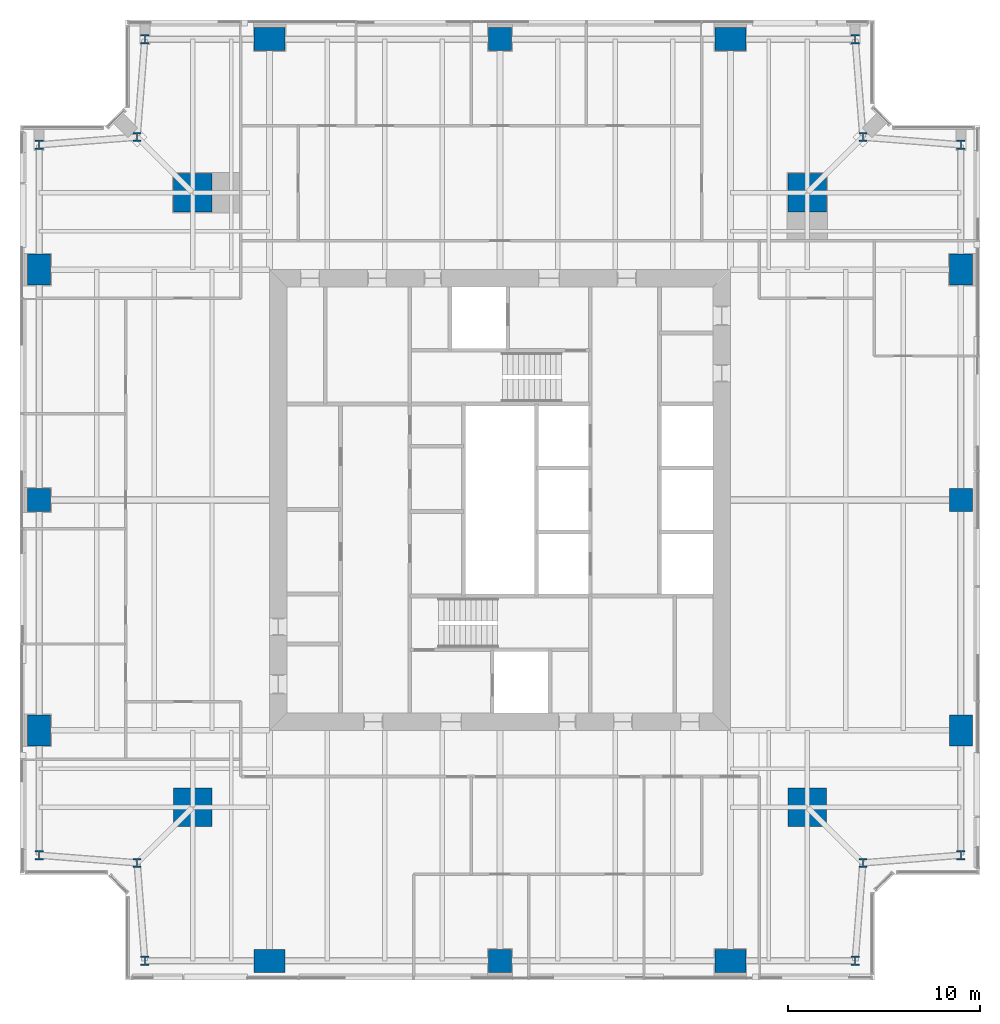
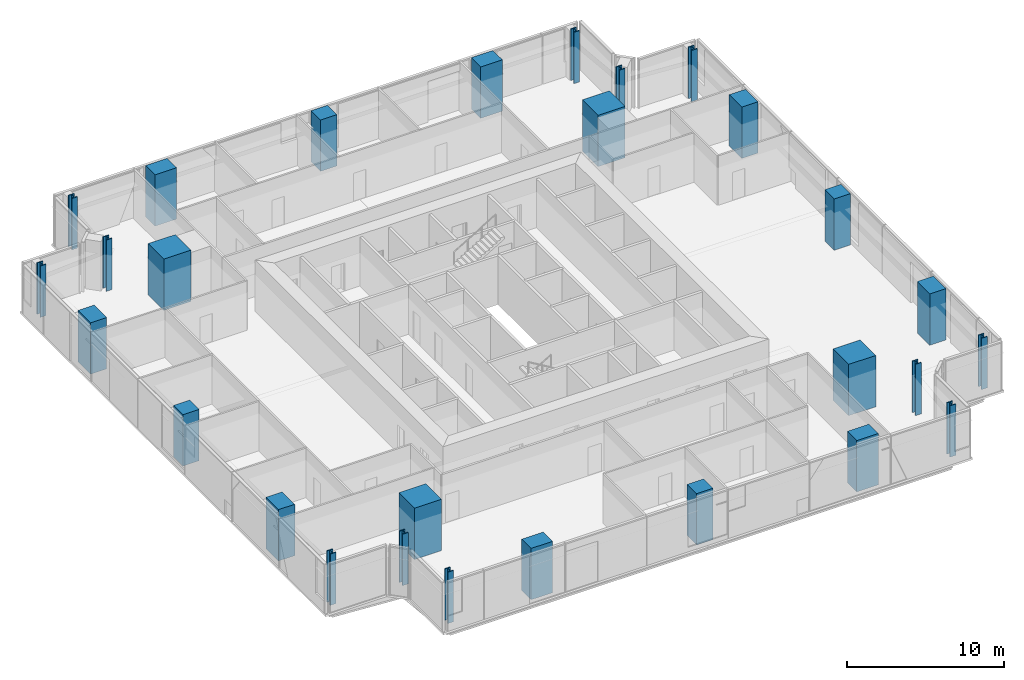
# One storey, part 1 of 14: 28 columns.
"""IFC4 building model written with IfcOpenShell, lengths in metres."""

from ifc_helpers import new_model, si_unit, direction, frame, origin, origin_2d, place, context, subcontext, project, spatial, rectangle, i_section, extrude, material, material_profile, profile_set, type_object, element, save


model = new_model("IFC4")

# Units and contexts
model_context = context("Model", 3, precision=1e-05, world=origin(), true_north=direction((0.0, 1.0)))
body_context = subcontext(model_context, "Body", "Model", "MODEL_VIEW")
ifc_project = project(units=[si_unit("LENGTHUNIT", "METRE"), si_unit("AREAUNIT", "SQUARE_METRE"), si_unit("VOLUMEUNIT", "CUBIC_METRE"), si_unit("PLANEANGLEUNIT", "RADIAN"), si_unit("MASSUNIT", "GRAM", prefix="KILO")], contexts=[model_context])

# Site, building, storey
site_placement = place(None, origin())
site = spatial("IfcSite", under=ifc_project, at=site_placement, CompositionType="ELEMENT")
building_placement = place(site_placement, origin())
building = spatial("IfcBuilding", under=site, at=building_placement, Name="Fenwick Lantern Interchange", CompositionType="ELEMENT")
storey_placement = place(building_placement, frame((0.0, 0.0, 189.800048828125)))
storey = spatial("IfcBuildingStorey", under=building, at=storey_placement, Name="L44", CompositionType="ELEMENT", Elevation=189.800048828125)

# Columns
ifc_material_1 = material(Name="Concrete f'c 70 MPa", Category="concrete")
ifc_material_profile_1 = material_profile(ifc_material_1, rectangle(XDim=2.0, YDim=2.0, at=origin_2d()), Name="RC2000X2000")
ifc_profile_set_1 = profile_set([ifc_material_profile_1], Name="Concrete f'c 70 MPa")
column_type_1 = type_object("IfcColumnType", Name="MEGA COLUMN RC2000X2000", PredefinedType="COLUMN", material=ifc_profile_set_1)
for number, where, z_axis, x_axis, name in (
    (1, (9.0, 9.0, 0.0), (0.0, 0.0, 1.0), (1.0, 0.0, 0.0), "L44/M1"),
    (2, (41.0, 9.0, 0.0), (0.0, 0.0, 1.0), (1.0, 0.0, 0.0), "L44/M2"),
    (3, (41.0, 41.0, 0.0), (0.0, 0.0, 1.0), (1.0, 0.0, 0.0), "L44/M3"),
    (4, (9.0, 41.0, 0.0), (0.0, 0.0, 1.0), (1.0, 0.0, 0.0), "L44/M4"),
):
    element("IfcColumn", number, at=place(storey_placement, frame(where, z_axis=z_axis, x_axis=x_axis)), inside=storey, type_object=column_type_1, Name=name, PredefinedType="COLUMN", context=body_context, shape_type="SweptSolid", body=[
        extrude(rectangle(XDim=2.0, YDim=2.0, at=origin_2d()), origin(), (0.0, 0.0, 1.0), 4.0),
    ])
ifc_material_profile_2 = material_profile(ifc_material_1, rectangle(XDim=1.199951171875, YDim=1.199951171875, at=origin_2d()), Name="RC1200X1200")
ifc_profile_set_2 = profile_set([ifc_material_profile_2], Name="Concrete f'c 70 MPa")
column_type_2 = type_object("IfcColumnType", Name="PERIMETER COLUMN RC1200X1200", PredefinedType="COLUMN", material=ifc_profile_set_2)
for number, where, z_axis, x_axis, name in (
    (5, (25.0, 1.0, 0.0), (0.0, 0.0, 1.0), (1.0, 0.0, 0.0), "L44/CS3"),
    (6, (49.0, 25.0, 0.0), (0.0, 0.0, 1.0), (1.0, 0.0, 0.0), "L44/CE3"),
    (7, (25.0, 49.0, 0.0), (0.0, 0.0, 1.0), (1.0, 0.0, 0.0), "L44/CN3"),
    (8, (1.0, 25.0, 0.0), (0.0, 0.0, 1.0), (1.0, 0.0, 0.0), "L44/CW3"),
):
    element("IfcColumn", number, at=place(storey_placement, frame(where, z_axis=z_axis, x_axis=x_axis)), inside=storey, type_object=column_type_2, Name=name, PredefinedType="COLUMN", context=body_context, shape_type="SweptSolid", body=[
        extrude(rectangle(XDim=1.199951171875, YDim=1.199951171875, at=origin_2d()), origin(), (0.0, 0.0, 1.0), 4.0),
    ])
ifc_material_profile_3 = material_profile(ifc_material_1, rectangle(XDim=1.199951171875, YDim=1.60009765625, at=origin_2d()), Name="RC1200X1600")
ifc_profile_set_3 = profile_set([ifc_material_profile_3], Name="Concrete f'c 70 MPa")
column_type_3 = type_object("IfcColumnType", Name="PERIMETER COLUMN RC1200X1600", PredefinedType="COLUMN", material=ifc_profile_set_3)
for number, where, z_axis, x_axis, name in (
    (9, (49.0, 13.0, 0.0), (0.0, 0.0, 1.0), (1.0, 0.0, 0.0), "L44/CE2"),
    (10, (49.0, 37.0, 0.0), (0.0, 0.0, 1.0), (1.0, 0.0, 0.0), "L44/CE4"),
    (11, (1.0, 37.0, 0.0), (0.0, 0.0, 1.0), (1.0, 0.0, 0.0), "L44/CW2"),
    (12, (1.0, 13.0, 0.0), (0.0, 0.0, 1.0), (1.0, 0.0, 0.0), "L44/CW4"),
):
    element("IfcColumn", number, at=place(storey_placement, frame(where, z_axis=z_axis, x_axis=x_axis)), inside=storey, type_object=column_type_3, Name=name, PredefinedType="COLUMN", context=body_context, shape_type="SweptSolid", body=[
        extrude(rectangle(XDim=1.199951171875, YDim=1.60009765625, at=origin_2d()), origin(), (0.0, 0.0, 1.0), 4.0),
    ])
ifc_material_profile_4 = material_profile(ifc_material_1, rectangle(XDim=1.60009765625, YDim=1.199951171875, at=origin_2d()), Name="RC1600X1200")
ifc_profile_set_4 = profile_set([ifc_material_profile_4], Name="Concrete f'c 70 MPa")
column_type_4 = type_object("IfcColumnType", Name="PERIMETER COLUMN RC1600X1200", PredefinedType="COLUMN", material=ifc_profile_set_4)
for number, where, z_axis, x_axis, name in (
    (13, (13.0, 1.0, 0.0), (0.0, 0.0, 1.0), (1.0, 0.0, 0.0), "L44/CS2"),
    (14, (37.0, 1.0, 0.0), (0.0, 0.0, 1.0), (1.0, 0.0, 0.0), "L44/CS4"),
    (15, (37.0, 49.0, 0.0), (0.0, 0.0, 1.0), (1.0, 0.0, 0.0), "L44/CN2"),
    (16, (13.0, 49.0, 0.0), (0.0, 0.0, 1.0), (1.0, 0.0, 0.0), "L44/CN4"),
):
    element("IfcColumn", number, at=place(storey_placement, frame(where, z_axis=z_axis, x_axis=x_axis)), inside=storey, type_object=column_type_4, Name=name, PredefinedType="COLUMN", context=body_context, shape_type="SweptSolid", body=[
        extrude(rectangle(XDim=1.60009765625, YDim=1.199951171875, at=origin_2d()), origin(), (0.0, 0.0, 1.0), 4.0),
    ])
ifc_material_2 = material(Name="Steel ASTM A992 Grade 50", Category="steel")
ifc_material_profile_5 = material_profile(ifc_material_2, i_section(OverallWidth=0.424072265625, OverallDepth=0.47509765625, WebThickness=0.0478515625, FlangeThickness=0.0771484375, at=origin_2d()), Name="W14X426")
ifc_profile_set_5 = profile_set([ifc_material_profile_5], Name="Steel ASTM A992 Grade 50")
column_type_5 = type_object("IfcColumnType", Name="PERIMETER COLUMN W14X426", PredefinedType="COLUMN", material=ifc_profile_set_5)
for number, where, z_axis, x_axis, name in (
    (17, (6.5, 1.0, 0.0), (0.0, 0.0, 1.0), (1.0, 0.0, 0.0), "L44/CS1"),
    (18, (43.5, 1.0, 0.0), (0.0, 0.0, 1.0), (1.0, 0.0, 0.0), "L44/CS5"),
    (19, (43.89990234375, 6.10009765625, 0.0), (0.0, 0.0, 1.0), (1.0, 0.0, 0.0), "L44/CSR"),
    (20, (49.0, 6.5, 0.0), (0.0, 0.0, 1.0), (1.0, 0.0, 0.0), "L44/CE1"),
    (21, (49.0, 43.5, 0.0), (0.0, 0.0, 1.0), (1.0, 0.0, 0.0), "L44/CE5"),
    (22, (43.89990234375, 43.89990234375, 0.0), (0.0, 0.0, 1.0), (1.0, 0.0, 0.0), "L44/CER"),
    (23, (43.5, 49.0, 0.0), (0.0, 0.0, 1.0), (1.0, 0.0, 0.0), "L44/CN1"),
    (24, (6.5, 49.0, 0.0), (0.0, 0.0, 1.0), (1.0, 0.0, 0.0), "L44/CN5"),
    (25, (6.10009765625, 43.89990234375, 0.0), (0.0, 0.0, 1.0), (1.0, 0.0, 0.0), "L44/CNR"),
    (26, (1.0, 43.5, 0.0), (0.0, 0.0, 1.0), (1.0, 0.0, 0.0), "L44/CW1"),
    (27, (1.0, 6.5, 0.0), (0.0, 0.0, 1.0), (1.0, 0.0, 0.0), "L44/CW5"),
    (28, (6.10009765625, 6.10009765625, 0.0), (0.0, 0.0, 1.0), (1.0, 0.0, 0.0), "L44/CWR"),
):
    element("IfcColumn", number, at=place(storey_placement, frame(where, z_axis=z_axis, x_axis=x_axis)), inside=storey, type_object=column_type_5, Name=name, PredefinedType="COLUMN", context=body_context, shape_type="SweptSolid", body=[
        extrude(i_section(OverallWidth=0.424072265625, OverallDepth=0.47509765625, WebThickness=0.0478515625, FlangeThickness=0.0771484375, at=origin_2d()), origin(), (0.0, 0.0, 1.0), 4.0),
    ])

save(model, "model.ifc")
